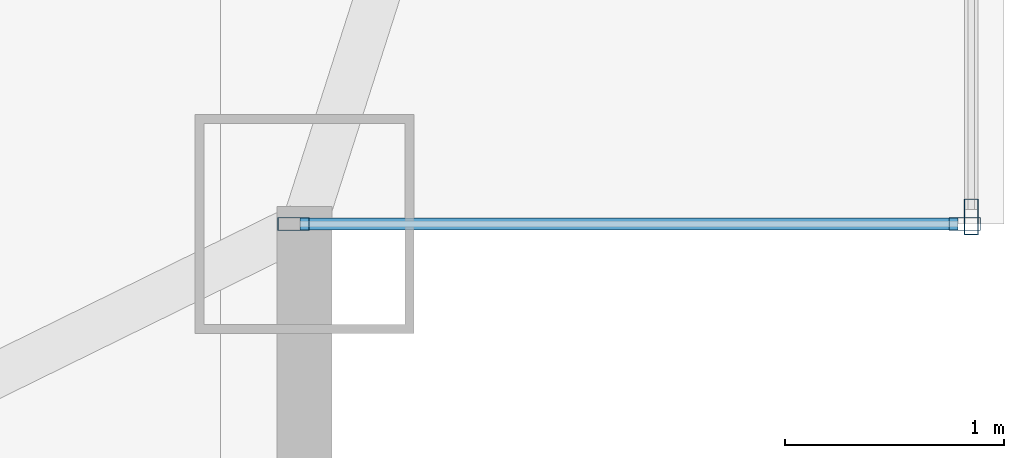
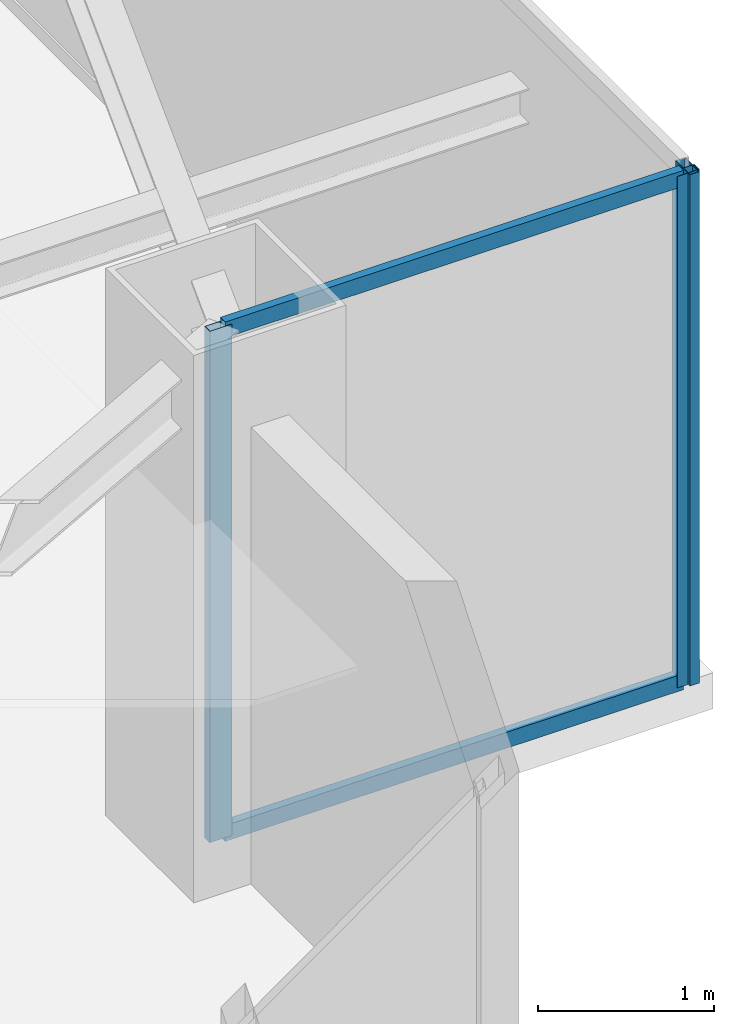
# One storey, part 12 of 25: 5 members, 2 elements without a shape of their own.
"""IFC4 building model written with IfcOpenShell, lengths in metres."""

from ifc_helpers import new_model, si_unit, direction, frame, origin, origin_2d, place, context, subcontext, project, spatial, hollow_rectangle, extrude, source, transform, mapped, material, layer, layer_set, material_profile, profile_set, type_object, type_shapes, element, aggregate, save


model = new_model("IFC4")

# Units and contexts
model_context = context("Model", 3, precision=1e-05, world=origin(), true_north=direction((0.0, 1.0)))
body_context = subcontext(model_context, "Body", "Model", "MODEL_VIEW")
ifc_project = project(units=[si_unit("LENGTHUNIT", "METRE"), si_unit("AREAUNIT", "SQUARE_METRE"), si_unit("VOLUMEUNIT", "CUBIC_METRE"), si_unit("PLANEANGLEUNIT", "RADIAN"), si_unit("MASSUNIT", "GRAM", prefix="KILO")], contexts=[model_context])

# Site, building, storey
site_placement = place(None, origin())
site = spatial("IfcSite", under=ifc_project, at=site_placement, CompositionType="ELEMENT")
building_placement = place(site_placement, origin())
building = spatial("IfcBuilding", under=site, at=building_placement, Name="Varnel Quay Broadcast Tower", CompositionType="ELEMENT")
storey_placement = place(building_placement, frame((0.0, 0.0, 288.800048828125)))
storey = spatial("IfcBuildingStorey", under=building, at=storey_placement, Name="L72", CompositionType="ELEMENT", Elevation=288.800048828125)

# Curtain wall, members
ifc_material = material(Name="Anodised Bronze Aluminium 6063-T6", Category="aluminium")
ifc_layer_1 = layer(ifc_material, 0.18994140625, Name="Anodised Bronze Aluminium 6063-T6")
ifc_layer_set_1 = layer_set([ifc_layer_1], Name="Anodised Bronze Aluminium 6063-T6")
curtain_wall_type_1 = type_object("IfcCurtainWallType", Name="CW_NotchCorner", PredefinedType="NOTDEFINED", material=ifc_layer_set_1)
curtain_wall_1_placement = place(storey_placement, origin())
curtain_wall_1 = element("IfcCurtainWall", 1, at=curtain_wall_1_placement, inside=storey, type_object=curtain_wall_type_1, Name="L72 SE Notch Curtain Wall", PredefinedType="NOTDEFINED")
ifc_material_profile_1 = material_profile(ifc_material, hollow_rectangle(XDim=0.06005859375, YDim=0.14501953125, WallThickness=0.00341796875, at=origin_2d()), Name="ALU60X145X3.5")
ifc_profile_set_1 = profile_set([ifc_material_profile_1], Name="Anodised Bronze Aluminium 6063-T6")
member_type_1 = type_object("IfcMemberType", Name="Mull_CWS-04", PredefinedType="MULLION", material=ifc_profile_set_1)
shared_shape_1 = source(origin(), body_context, "Body", "SweptSolid", [
    extrude(hollow_rectangle(XDim=0.06005859375, YDim=0.14501953125, WallThickness=0.00341796875, at=origin_2d()), origin(), (0.0, 0.0, 1.0), 3.550048828125),
])
type_shapes(member_type_1, [shared_shape_1])
member_1_placement = place(storey_placement, frame((52.75, 16.39990234375, 0.0), z_axis=(0.0, 0.0, 1.0), x_axis=(0.0, 1.0, 0.0)))
member_1 = element("IfcMember", 2, at=member_1_placement, type_object=member_type_1, Name="CWS-04 mullion 1", PredefinedType="MULLION", context=body_context, shape_type="MappedRepresentation", body=[
    mapped(shared_shape_1, transform((0.0, 0.0, 0.0), x_axis=(1.0, 0.0, 0.0), y_axis=(0.0, 1.0, 0.0), z_axis=(0.0, 0.0, 1.0), scale=1.0)),
])
member_2_placement = place(storey_placement, frame((55.820068359375, 16.39990234375, 0.0), z_axis=(0.0, 0.0, 1.0), x_axis=(0.0, 1.0, 0.0)))
member_2 = element("IfcMember", 3, at=member_2_placement, type_object=member_type_1, Name="CWS-04 mullion 2", PredefinedType="MULLION", context=body_context, shape_type="MappedRepresentation", body=[
    mapped(shared_shape_1, transform((0.0, 0.0, 0.0), x_axis=(1.0, 0.0, 0.0), y_axis=(0.0, 1.0, 0.0), z_axis=(0.0, 0.0, 1.0), scale=1.0)),
])

# Curtain wall, member
ifc_layer_2 = layer(ifc_material, 0.18994140625, Name="Anodised Bronze Aluminium 6063-T6")
ifc_layer_set_2 = layer_set([ifc_layer_2], Name="Anodised Bronze Aluminium 6063-T6")
curtain_wall_type_2 = type_object("IfcCurtainWallType", Name="CW_UpperTower", PredefinedType="NOTDEFINED", material=ifc_layer_set_2)
curtain_wall_2_placement = place(storey_placement, origin())
curtain_wall_2 = element("IfcCurtainWall", 4, at=curtain_wall_2_placement, inside=storey, type_object=curtain_wall_type_2, Name="L72 East Unitised Curtain Wall", PredefinedType="NOTDEFINED")
ifc_material_profile_2 = material_profile(ifc_material, hollow_rectangle(XDim=0.06494140625, YDim=0.1650390625, WallThickness=0.00341796875, at=origin_2d()), Name="ALU65X165X3.5")
ifc_profile_set_2 = profile_set([ifc_material_profile_2], Name="Anodised Bronze Aluminium 6063-T6")
member_type_2 = type_object("IfcMemberType", Name="Mull_CWS-03", PredefinedType="MULLION", material=ifc_profile_set_2)
shared_shape_2 = source(origin(), body_context, "Body", "SweptSolid", [
    extrude(hollow_rectangle(XDim=0.06494140625, YDim=0.1650390625, WallThickness=0.00341796875, at=origin_2d()), origin(), (0.0, 0.0, 1.0), 3.550048828125),
])
type_shapes(member_type_2, [shared_shape_2])
member_3_placement = place(storey_placement, frame((55.85009765625, 16.4326171875, 0.0), z_axis=(0.0, 0.0, 1.0), x_axis=(-1.0, 0.0, 0.0)))
member_3 = element("IfcMember", 5, at=member_3_placement, type_object=member_type_2, Name="CWS-03 mullion 1", PredefinedType="MULLION", context=body_context, shape_type="MappedRepresentation", body=[
    mapped(shared_shape_2, transform((0.0, 0.0, 0.0), x_axis=(1.0, 0.0, 0.0), y_axis=(0.0, 1.0, 0.0), z_axis=(0.0, 0.0, 1.0), scale=1.0)),
])
aggregate(curtain_wall_2, [member_3])

# Member
ifc_material_profile_3 = material_profile(ifc_material, hollow_rectangle(XDim=0.054931640625, YDim=0.110107421875, WallThickness=0.0029296875, at=origin_2d()), Name="ALU55X110X3")
ifc_profile_set_3 = profile_set([ifc_material_profile_3], Name="Anodised Bronze Aluminium 6063-T6")
member_type_3 = type_object("IfcMemberType", Name="Tran_CWS-04", PredefinedType="USERDEFINED", material=ifc_profile_set_3)
shared_shape_3 = source(origin(), body_context, "Body", "SweptSolid", [
    extrude(hollow_rectangle(XDim=0.054931640625, YDim=0.110107421875, WallThickness=0.0029296875, at=origin_2d()), origin(), (0.0, 0.0, 1.0), 3.010009765625),
])
type_shapes(member_type_3, [shared_shape_3])
member_4_placement = place(storey_placement, frame((52.780029296875, 16.39990234375, 0.02734375), z_axis=(1.0, 0.0, 0.0), x_axis=(0.0, 1.0, 0.0)))
member_4 = element("IfcMember", 6, at=member_4_placement, type_object=member_type_3, Name="CWS-04 transom 1.1", ObjectType="TRANSOM", PredefinedType="USERDEFINED", context=body_context, shape_type="MappedRepresentation", body=[
    mapped(shared_shape_3, transform((0.0, 0.0, 0.0), x_axis=(1.0, 0.0, 0.0), y_axis=(0.0, 1.0, 0.0), z_axis=(0.0, 0.0, 1.0), scale=1.0)),
])

member_5_placement = place(storey_placement, frame((52.780029296875, 16.39990234375, 3.5224609375), z_axis=(1.0, 0.0, 0.0), x_axis=(0.0, 1.0, 0.0)))
member_5 = element("IfcMember", 7, at=member_5_placement, type_object=member_type_3, Name="CWS-04 transom 1.2", ObjectType="TRANSOM", PredefinedType="USERDEFINED", context=body_context, shape_type="MappedRepresentation", body=[
    mapped(shared_shape_3, transform((0.0, 0.0, 0.0), x_axis=(1.0, 0.0, 0.0), y_axis=(0.0, 1.0, 0.0), z_axis=(0.0, 0.0, 1.0), scale=1.0)),
])

aggregate(curtain_wall_1, [member_1, member_2, member_4, member_5])

save(model, "model.ifc")
